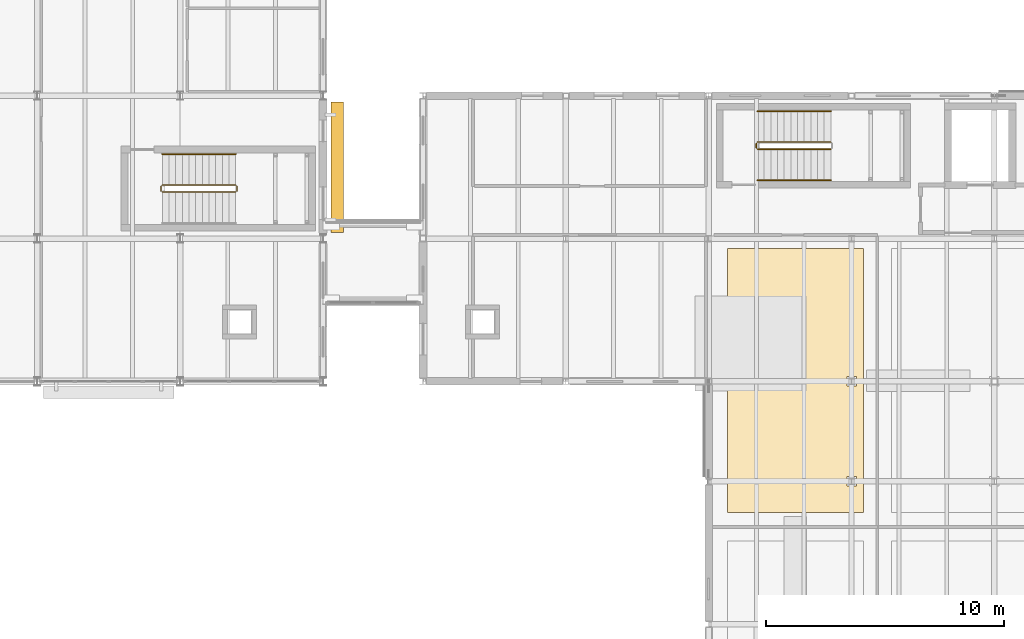
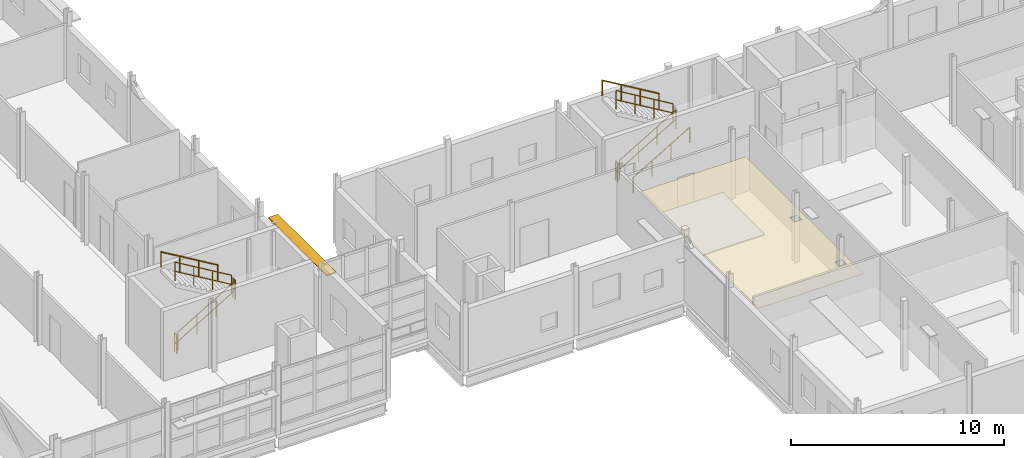
# One storey, part 86 of 92: 10 railings, 1 covering, 1 shading device.
"""IFC4 building model written with IfcOpenShell, lengths in metres."""

from ifc_helpers import new_model, si_unit, direction, frame, origin, origin_2d, place, context, subcontext, project, spatial, polyline, rectangle, circle, outline, extrude, material, layer, layer_set, type_object, element, save


model = new_model("IFC4")

# Units and contexts
model_context = context("Model", 3, precision=1e-05, world=origin(), true_north=direction((0.0, 1.0)))
body_context = subcontext(model_context, "Body", "Model", "MODEL_VIEW")
ifc_project = project(units=[si_unit("LENGTHUNIT", "METRE"), si_unit("AREAUNIT", "SQUARE_METRE"), si_unit("VOLUMEUNIT", "CUBIC_METRE"), si_unit("PLANEANGLEUNIT", "RADIAN"), si_unit("MASSUNIT", "GRAM", prefix="KILO")], contexts=[model_context])

# Site, building, storey
site_placement = place(None, origin())
site = spatial("IfcSite", under=ifc_project, at=site_placement, CompositionType="ELEMENT")
building_placement = place(site_placement, origin())
building = spatial("IfcBuilding", under=site, at=building_placement, Name="Siltcreek Boulevard Central Fire Station", CompositionType="ELEMENT")
storey_placement = place(building_placement, frame((0.0, 0.0, 6.0)))
storey = spatial("IfcBuildingStorey", under=building, at=storey_placement, Name="L02", CompositionType="ELEMENT", Elevation=6.0)

# Covering
ifc_material_1 = material(Name="Mineral-fiber acoustic ceiling tile", Category="gypsum")
ifc_layer_1 = layer(ifc_material_1, 0.02490234375, Name="Mineral-fiber acoustic ceiling tile")
ifc_layer_set_1 = layer_set([ifc_layer_1], Name="Mineral-fiber acoustic ceiling tile")
covering_type = type_object("IfcCoveringType", Name="COV_CEIL_ACT", PredefinedType="CEILING", material=ifc_layer_set_1)
covering_placement = place(storey_placement, frame((0.0, 0.0, 2.419921875)))
element("IfcCovering", 1, at=covering_placement, inside=storey, type_object=covering_type, Name="L02 Training Classroom 203 acoustic ceiling ACT-024", PredefinedType="CEILING", context=body_context, shape_type="SweptSolid", body=[
    extrude(outline(polyline([(125.0, 12.5), (130.699951171875, 12.5), (130.699951171875, 23.580078125), (125.0, 23.580078125), (125.0, 12.5)]), holes=[polyline([(130.0, 13.60009765625), (130.39990234375, 13.60009765625), (130.39990234375, 14.0), (130.0, 14.0), (130.0, 13.60009765625)]), polyline([(130.0, 17.800048828125), (130.39990234375, 17.800048828125), (130.39990234375, 18.199951171875), (130.0, 18.199951171875), (130.0, 17.800048828125)])]), origin(), (0.0, 0.0, 1.0), 0.025146484375),
])

# Railings
ifc_material_2 = material(Name="Painted galvanized steel stair guard", Category="steel")
railing_type_1 = type_object("IfcRailingType", Name="RL_ST_GUARD", PredefinedType="BALUSTRADE", material=ifc_material_2)
railing_1_placement = place(storey_placement, frame((101.25, 25.949951171875, 0.166748046875)))
element("IfcRailing", 2, at=railing_1_placement, inside=storey, type_object=railing_type_1, Name="L02 ST-V2B stair guard 1", PredefinedType="BALUSTRADE", context=body_context, shape_type="SweptSolid", body=[
    extrude(circle(Radius=0.02392578125, at=origin_2d()), frame((0.0, 0.0, 1.076171875), z_axis=(0.859308565015, 0.0, 0.511457515432), x_axis=(0.0, 1.0, 0.0)), (0.0, 0.0, 1.0), 3.58447265625),
    extrude(circle(Radius=0.02392578125, at=origin_2d()), frame((0.0, 0.0, 0.550048828125), z_axis=(0.859308565015, 0.0, 0.511457515432), x_axis=(0.0, 1.0, 0.0)), (0.0, 0.0, 1.0), 3.58447265625),
    extrude(circle(Radius=0.02099609375, at=origin_2d()), origin(), (0.0, 0.0, 1.0), 1.052001953125),
    extrude(circle(Radius=0.02099609375, at=origin_2d()), frame((1.026611328125, 0.0, 0.611083984375)), (0.0, 0.0, 1.0), 1.052001953125),
    extrude(circle(Radius=0.02099609375, at=origin_2d()), frame((2.053466796875, 0.0, 1.22216796875)), (0.0, 0.0, 1.0), 1.052001953125),
    extrude(circle(Radius=0.02099609375, at=origin_2d()), frame((3.080078125, 0.0, 1.833251953125)), (0.0, 0.0, 1.0), 1.052001953125),
])
railing_2_placement = place(storey_placement, frame((104.3798828125, 26.0, 2.0)))
element("IfcRailing", 3, at=railing_2_placement, inside=storey, type_object=railing_type_1, Name="L02 ST-V2B stair guard 2", PredefinedType="BALUSTRADE", context=body_context, shape_type="SweptSolid", body=[
    extrude(circle(Radius=0.02392578125, at=origin_2d()), frame((0.0, 0.0, 1.076171875), z_axis=(0.0, 1.0, 0.0), x_axis=(-1.0, 0.0, 0.0)), (0.0, 0.0, 1.0), 0.199951171875),
    extrude(circle(Radius=0.02392578125, at=origin_2d()), frame((0.0, 0.0, 0.550048828125), z_axis=(0.0, 1.0, 0.0), x_axis=(-1.0, 0.0, 0.0)), (0.0, 0.0, 1.0), 0.199951171875),
    extrude(circle(Radius=0.02099609375, at=origin_2d()), origin(), (0.0, 0.0, 1.0), 1.052001953125),
    extrude(circle(Radius=0.02099609375, at=origin_2d()), frame((0.0, 0.199951171875, 0.0)), (0.0, 0.0, 1.0), 1.052001953125),
])
railing_3_placement = place(storey_placement, frame((104.330078125, 26.25, 2.166748046875)))
element("IfcRailing", 4, at=railing_3_placement, inside=storey, type_object=railing_type_1, Name="L02 ST-V2B stair guard 3", PredefinedType="BALUSTRADE", context=body_context, shape_type="SweptSolid", body=[
    extrude(circle(Radius=0.02392578125, at=origin_2d()), frame((0.0, 0.0, 1.076171875), z_axis=(-0.859308565015, 0.0, 0.511457515432), x_axis=(0.0, -1.0, 0.0)), (0.0, 0.0, 1.0), 3.58447265625),
    extrude(circle(Radius=0.02392578125, at=origin_2d()), frame((0.0, 0.0, 0.550048828125), z_axis=(-0.859308565015, 0.0, 0.511457515432), x_axis=(0.0, -1.0, 0.0)), (0.0, 0.0, 1.0), 3.58447265625),
    extrude(circle(Radius=0.02099609375, at=origin_2d()), origin(), (0.0, 0.0, 1.0), 1.052001953125),
    extrude(circle(Radius=0.02099609375, at=origin_2d()), frame((-1.026611328125, 0.0, 0.611083984375)), (0.0, 0.0, 1.0), 1.052001953125),
    extrude(circle(Radius=0.02099609375, at=origin_2d()), frame((-2.053466796875, 0.0, 1.22216796875)), (0.0, 0.0, 1.0), 1.052001953125),
    extrude(circle(Radius=0.02099609375, at=origin_2d()), frame((-3.080078125, 0.0, 1.833251953125)), (0.0, 0.0, 1.0), 1.052001953125),
])
railing_4_placement = place(storey_placement, frame((101.199951171875, 26.0, 0.0)))
element("IfcRailing", 5, at=railing_4_placement, inside=storey, type_object=railing_type_1, Name="L02 ST-V2B stair guard 4", PredefinedType="BALUSTRADE", context=body_context, shape_type="SweptSolid", body=[
    extrude(circle(Radius=0.02392578125, at=origin_2d()), frame((0.0, 0.0, 1.076171875), z_axis=(0.0, 1.0, 0.0), x_axis=(-1.0, 0.0, 0.0)), (0.0, 0.0, 1.0), 0.199951171875),
    extrude(circle(Radius=0.02392578125, at=origin_2d()), frame((0.0, 0.0, 0.550048828125), z_axis=(0.0, 1.0, 0.0), x_axis=(-1.0, 0.0, 0.0)), (0.0, 0.0, 1.0), 0.199951171875),
    extrude(circle(Radius=0.02099609375, at=origin_2d()), origin(), (0.0, 0.0, 1.0), 1.052001953125),
    extrude(circle(Radius=0.02099609375, at=origin_2d()), frame((0.0, 0.199951171875, 0.0)), (0.0, 0.0, 1.0), 1.052001953125),
])
railing_5_placement = place(storey_placement, frame((126.25, 27.75, 0.166748046875)))
element("IfcRailing", 6, at=railing_5_placement, inside=storey, type_object=railing_type_1, Name="L02 ST-V6A stair guard 1", PredefinedType="BALUSTRADE", context=body_context, shape_type="SweptSolid", body=[
    extrude(circle(Radius=0.02392578125, at=origin_2d()), frame((0.0, 0.0, 1.076171875), z_axis=(0.859308565015, 0.0, 0.511457515432), x_axis=(0.0, 1.0, 0.0)), (0.0, 0.0, 1.0), 3.58447265625),
    extrude(circle(Radius=0.02392578125, at=origin_2d()), frame((0.0, 0.0, 0.550048828125), z_axis=(0.859308565015, 0.0, 0.511457515432), x_axis=(0.0, 1.0, 0.0)), (0.0, 0.0, 1.0), 3.58447265625),
    extrude(circle(Radius=0.02099609375, at=origin_2d()), origin(), (0.0, 0.0, 1.0), 1.052001953125),
    extrude(circle(Radius=0.02099609375, at=origin_2d()), frame((1.026611328125, 0.0, 0.611083984375)), (0.0, 0.0, 1.0), 1.052001953125),
    extrude(circle(Radius=0.02099609375, at=origin_2d()), frame((2.053466796875, 0.0, 1.22216796875)), (0.0, 0.0, 1.0), 1.052001953125),
    extrude(circle(Radius=0.02099609375, at=origin_2d()), frame((3.080078125, 0.0, 1.833251953125)), (0.0, 0.0, 1.0), 1.052001953125),
])
railing_6_placement = place(storey_placement, frame((129.330078125, 28.050048828125, 2.166748046875)))
element("IfcRailing", 7, at=railing_6_placement, inside=storey, type_object=railing_type_1, Name="L02 ST-V6A stair guard 3", PredefinedType="BALUSTRADE", context=body_context, shape_type="SweptSolid", body=[
    extrude(circle(Radius=0.02392578125, at=origin_2d()), frame((0.0, 0.0, 1.076171875), z_axis=(-0.859308565015, 0.0, 0.511457515432), x_axis=(0.0, -1.0, 0.0)), (0.0, 0.0, 1.0), 3.58447265625),
    extrude(circle(Radius=0.02392578125, at=origin_2d()), frame((0.0, 0.0, 0.550048828125), z_axis=(-0.859308565015, 0.0, 0.511457515432), x_axis=(0.0, -1.0, 0.0)), (0.0, 0.0, 1.0), 3.58447265625),
    extrude(circle(Radius=0.02099609375, at=origin_2d()), origin(), (0.0, 0.0, 1.0), 1.052001953125),
    extrude(circle(Radius=0.02099609375, at=origin_2d()), frame((-1.026611328125, 0.0, 0.611083984375)), (0.0, 0.0, 1.0), 1.052001953125),
    extrude(circle(Radius=0.02099609375, at=origin_2d()), frame((-2.053466796875, 0.0, 1.22216796875)), (0.0, 0.0, 1.0), 1.052001953125),
    extrude(circle(Radius=0.02099609375, at=origin_2d()), frame((-3.080078125, 0.0, 1.833251953125)), (0.0, 0.0, 1.0), 1.052001953125),
])
railing_7_placement = place(storey_placement, frame((126.199951171875, 27.800048828125, 0.0)))
element("IfcRailing", 8, at=railing_7_placement, inside=storey, type_object=railing_type_1, Name="L02 ST-V6A stair guard 4", PredefinedType="BALUSTRADE", context=body_context, shape_type="SweptSolid", body=[
    extrude(circle(Radius=0.02392578125, at=origin_2d()), frame((0.0, 0.0, 1.076171875), z_axis=(0.0, 1.0, 0.0), x_axis=(-1.0, 0.0, 0.0)), (0.0, 0.0, 1.0), 0.199951171875),
    extrude(circle(Radius=0.02392578125, at=origin_2d()), frame((0.0, 0.0, 0.550048828125), z_axis=(0.0, 1.0, 0.0), x_axis=(-1.0, 0.0, 0.0)), (0.0, 0.0, 1.0), 0.199951171875),
    extrude(circle(Radius=0.02099609375, at=origin_2d()), origin(), (0.0, 0.0, 1.0), 1.052001953125),
    extrude(circle(Radius=0.02099609375, at=origin_2d()), frame((0.0, 0.199951171875, 0.0)), (0.0, 0.0, 1.0), 1.052001953125),
])
ifc_material_3 = material(Name="Brushed stainless steel stair handrail", Category="steel")
railing_type_2 = type_object("IfcRailingType", Name="RL_ST_HAND", PredefinedType="HANDRAIL", material=ifc_material_3)
railing_8_placement = place(storey_placement, frame((104.330078125, 27.550048828125, 2.166748046875)))
element("IfcRailing", 9, at=railing_8_placement, inside=storey, type_object=railing_type_2, Name="L02 ST-V2B stair handrail 2", PredefinedType="HANDRAIL", context=body_context, shape_type="SweptSolid", body=[
    extrude(circle(Radius=0.02392578125, at=origin_2d()), frame((0.0, 0.0, 0.8759765625), z_axis=(-0.859308565015, 0.0, 0.511457515432), x_axis=(0.0, -1.0, 0.0)), (0.0, 0.0, 1.0), 3.58447265625),
    extrude(circle(Radius=0.02099609375, at=origin_2d()), origin(), (0.0, 0.0, 1.0), 0.851806640625),
    extrude(circle(Radius=0.02099609375, at=origin_2d()), frame((-1.026611328125, 0.0, 0.611083984375)), (0.0, 0.0, 1.0), 0.851806640625),
    extrude(circle(Radius=0.02099609375, at=origin_2d()), frame((-2.053466796875, 0.0, 1.22216796875)), (0.0, 0.0, 1.0), 0.851806640625),
    extrude(circle(Radius=0.02099609375, at=origin_2d()), frame((-3.080078125, 0.0, 1.833251953125)), (0.0, 0.0, 1.0), 0.851806640625),
])
railing_9_placement = place(storey_placement, frame((126.25, 26.449951171875, 0.166748046875)))
element("IfcRailing", 10, at=railing_9_placement, inside=storey, type_object=railing_type_2, Name="L02 ST-V6A stair handrail 1", PredefinedType="HANDRAIL", context=body_context, shape_type="SweptSolid", body=[
    extrude(circle(Radius=0.02392578125, at=origin_2d()), frame((0.0, 0.0, 0.8759765625), z_axis=(0.859308565015, 0.0, 0.511457515432), x_axis=(0.0, 1.0, 0.0)), (0.0, 0.0, 1.0), 3.58447265625),
    extrude(circle(Radius=0.02099609375, at=origin_2d()), origin(), (0.0, 0.0, 1.0), 0.851806640625),
    extrude(circle(Radius=0.02099609375, at=origin_2d()), frame((1.026611328125, 0.0, 0.611083984375)), (0.0, 0.0, 1.0), 0.851806640625),
    extrude(circle(Radius=0.02099609375, at=origin_2d()), frame((2.053466796875, 0.0, 1.22216796875)), (0.0, 0.0, 1.0), 0.851806640625),
    extrude(circle(Radius=0.02099609375, at=origin_2d()), frame((3.080078125, 0.0, 1.833251953125)), (0.0, 0.0, 1.0), 0.851806640625),
])
railing_10_placement = place(storey_placement, frame((129.330078125, 29.35009765625, 2.166748046875)))
element("IfcRailing", 11, at=railing_10_placement, inside=storey, type_object=railing_type_2, Name="L02 ST-V6A stair handrail 2", PredefinedType="HANDRAIL", context=body_context, shape_type="SweptSolid", body=[
    extrude(circle(Radius=0.02392578125, at=origin_2d()), frame((0.0, 0.0, 0.8759765625), z_axis=(-0.859308565015, 0.0, 0.511457515432), x_axis=(0.0, -1.0, 0.0)), (0.0, 0.0, 1.0), 3.58447265625),
    extrude(circle(Radius=0.02099609375, at=origin_2d()), origin(), (0.0, 0.0, 1.0), 0.851806640625),
    extrude(circle(Radius=0.02099609375, at=origin_2d()), frame((-1.026611328125, 0.0, 0.611083984375)), (0.0, 0.0, 1.0), 0.851806640625),
    extrude(circle(Radius=0.02099609375, at=origin_2d()), frame((-2.053466796875, 0.0, 1.22216796875)), (0.0, 0.0, 1.0), 0.851806640625),
    extrude(circle(Radius=0.02099609375, at=origin_2d()), frame((-3.080078125, 0.0, 1.833251953125)), (0.0, 0.0, 1.0), 0.851806640625),
])

# Shading device
ifc_material_4 = material(Name="Frey sage-green anodized tubular aluminum sunshade", Category="aluminium")
ifc_layer_2 = layer(ifc_material_4, 0.080078125, Name="Frey sage-green anodized tubular aluminum sunshade")
ifc_layer_set_2 = layer_set([ifc_layer_2], Name="Frey sage-green anodized tubular aluminum sunshade")
shading_device_type = type_object("IfcShadingDeviceType", Name="SHD_BRISE", PredefinedType="USERDEFINED", material=ifc_layer_set_2)
shading_device_placement = place(storey_placement, frame((108.60009765625, 27.0, 2.97705078125), z_axis=(0.0, 0.0, 1.0), x_axis=(0.0, 1.0, 0.0)))
element("IfcShadingDevice", 12, at=shading_device_placement, inside=storey, type_object=shading_device_type, Name="Anodized tubular aluminum brise-soleil SS-022", ObjectType="SUNSHADE", PredefinedType="USERDEFINED", context=body_context, shape_type="SweptSolid", body=[
    extrude(rectangle(XDim=5.469970703125, YDim=0.52001953125, at=origin_2d()), origin(), (0.0, 0.0, 1.0), 0.080078125),
])

save(model, "model.ifc")
